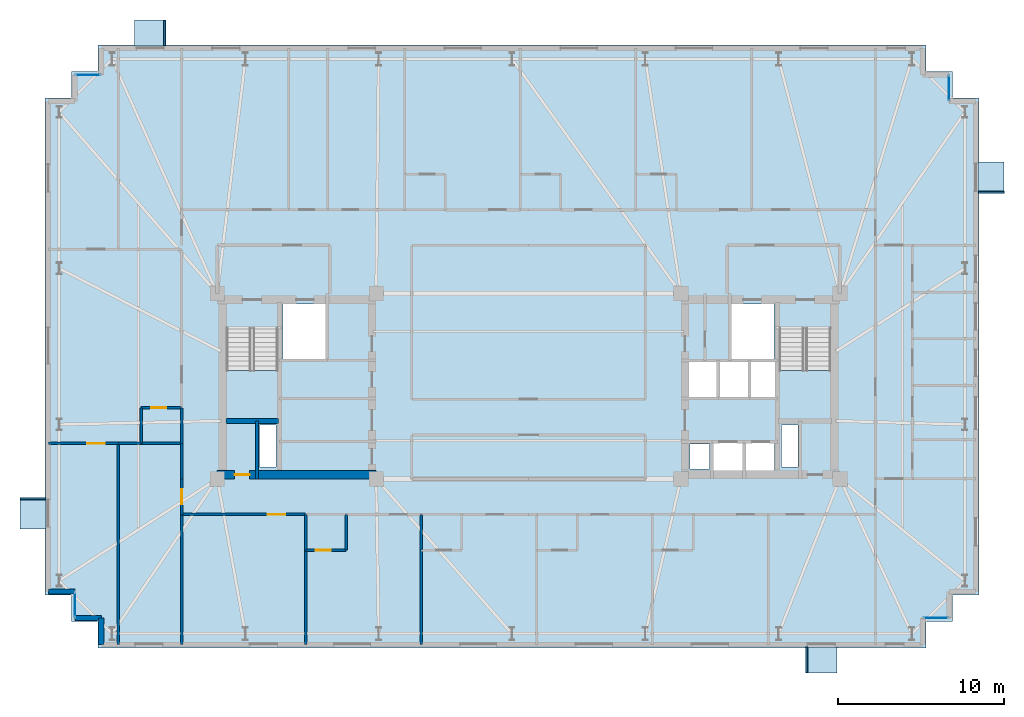
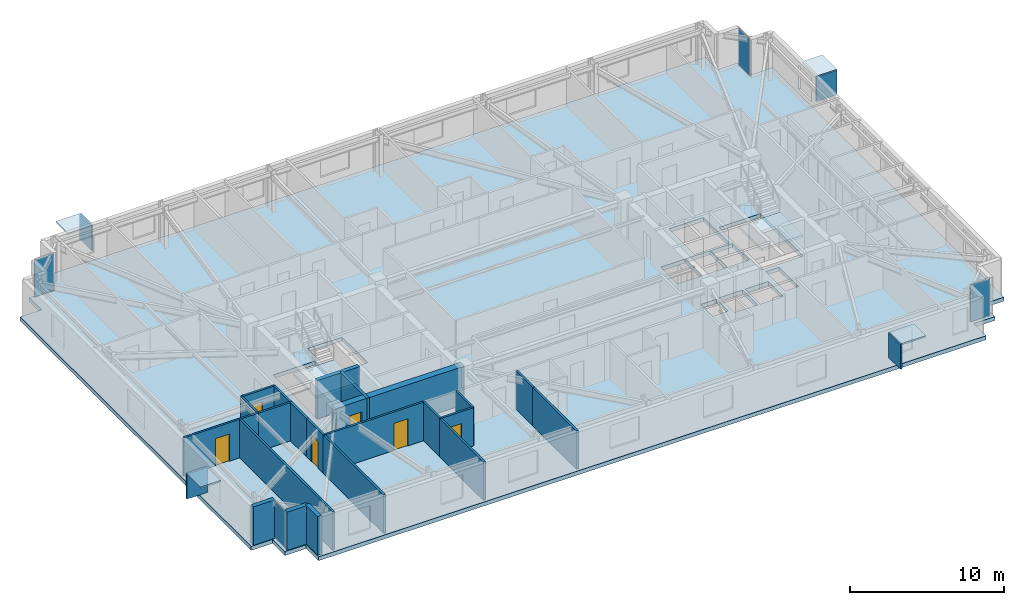
# One storey, part 10 of 17: 23 walls, 12 plates, 6 doors, 3 slabs, 6 openings, 6 elements without a shape of their own.
"""IFC4 building model written with IfcOpenShell, lengths in metres."""

from ifc_helpers import new_model, si_unit, direction, frame, frame_2d, origin, origin_2d, place, context, subcontext, project, spatial, polyline, rectangle, outline, extrude, material, layer, layer_set, type_object, element, fill, aggregate, save


model = new_model("IFC4")

# Units and contexts
model_context = context("Model", 3, precision=1e-05, world=origin(), true_north=direction((0.0, 1.0)))
body_context = subcontext(model_context, "Body", "Model", "MODEL_VIEW")
ifc_project = project(units=[si_unit("LENGTHUNIT", "METRE"), si_unit("AREAUNIT", "SQUARE_METRE"), si_unit("VOLUMEUNIT", "CUBIC_METRE"), si_unit("PLANEANGLEUNIT", "RADIAN"), si_unit("MASSUNIT", "GRAM", prefix="KILO")], contexts=[model_context])

# Site, building, storey
site_placement = place(None, origin())
site = spatial("IfcSite", under=ifc_project, at=site_placement, CompositionType="ELEMENT")
building_placement = place(site_placement, origin())
building = spatial("IfcBuilding", under=site, at=building_placement, Name="Qobustan Lattice House", CompositionType="ELEMENT")
storey_placement = place(building_placement, frame((0.0, 0.0, 161.14990234375)))
storey = spatial("IfcBuildingStorey", under=building, at=storey_placement, Name="L45", CompositionType="ELEMENT", Elevation=161.14990234375)

# Curtain wall, plate
ifc_material_1 = material(Name="Anodised aluminium and low-E glazing", Category="aluminium")
ifc_layer_1 = layer(ifc_material_1, 0.219970703125)
ifc_layer_set_1 = layer_set([ifc_layer_1], Name="Anodised aluminium and low-E glazing")
curtain_wall_type = type_object("IfcCurtainWallType", Name="CW-FAC-02", PredefinedType="USERDEFINED", material=ifc_layer_set_1)
curtain_wall_1_placement = place(storey_placement, origin())
curtain_wall_1 = element("IfcCurtainWall", 1, at=curtain_wall_1_placement, inside=storey, type_object=curtain_wall_type, Name="L45 serrated corner faceted glazing 3", ObjectType="CURTAIN WALL", PredefinedType="USERDEFINED")
ifc_material_2 = material(Name="Clear low-E laminated glass", Category="glass")
ifc_layer_2 = layer(ifc_material_2, 0.031982421875)
ifc_layer_set_2 = layer_set([ifc_layer_2], Name="Clear low-E laminated glass")
plate_type_1 = type_object("IfcPlateType", Name="CWP-VISION-32", PredefinedType="CURTAIN_PANEL", material=ifc_layer_set_2)
plate_1_placement = place(storey_placement, frame((-27.39990234375, -13.199951171875, 0.06494140625), z_axis=(0.0, 0.0, 1.0), x_axis=(0.0, 1.0, 0.0)))
plate_1 = element("IfcPlate", 2, at=plate_1_placement, type_object=plate_type_1, Name="CW-F2 panel 1.1", PredefinedType="CURTAIN_PANEL", context=body_context, shape_type="SweptSolid", body=[
    extrude(rectangle(XDim=1.4599609375, YDim=0.031982421875, at=origin_2d()), origin(), (0.0, 0.0, 1.0), 2.909912109375),
])
aggregate(curtain_wall_1, [plate_1])

curtain_wall_2_placement = place(storey_placement, origin())
curtain_wall_2 = element("IfcCurtainWall", 3, at=curtain_wall_2_placement, inside=storey, type_object=curtain_wall_type, Name="L45 serrated corner faceted glazing 8", ObjectType="CURTAIN WALL", PredefinedType="USERDEFINED")
plate_2_placement = place(storey_placement, frame((-26.60009765625, 18.800048828125, 0.06494140625), z_axis=(0.0, 0.0, 1.0), x_axis=(1.0, 0.0, 0.0)))
plate_2 = element("IfcPlate", 4, at=plate_2_placement, type_object=plate_type_1, Name="CW-F2 panel 1.1", PredefinedType="CURTAIN_PANEL", context=body_context, shape_type="SweptSolid", body=[
    extrude(rectangle(XDim=1.4599609375, YDim=0.031982421875, at=origin_2d()), origin(), (0.0, 0.0, 1.0), 2.909912109375),
])
aggregate(curtain_wall_2, [plate_2])

curtain_wall_3_placement = place(storey_placement, origin())
curtain_wall_3 = element("IfcCurtainWall", 5, at=curtain_wall_3_placement, inside=storey, type_object=curtain_wall_type, Name="L45 serrated corner faceted glazing 13", ObjectType="CURTAIN WALL", PredefinedType="USERDEFINED")
plate_3_placement = place(storey_placement, frame((25.39990234375, 18.0, 0.06494140625), z_axis=(0.0, 0.0, 1.0), x_axis=(0.0, -1.0, 0.0)))
plate_3 = element("IfcPlate", 6, at=plate_3_placement, type_object=plate_type_1, Name="CW-F2 panel 1.1", PredefinedType="CURTAIN_PANEL", context=body_context, shape_type="SweptSolid", body=[
    extrude(rectangle(XDim=1.4599609375, YDim=0.031982421875, at=origin_2d()), origin(), (0.0, 0.0, 1.0), 2.909912109375),
])
aggregate(curtain_wall_3, [plate_3])

curtain_wall_4_placement = place(storey_placement, origin())
curtain_wall_4 = element("IfcCurtainWall", 7, at=curtain_wall_4_placement, inside=storey, type_object=curtain_wall_type, Name="L45 serrated corner faceted glazing 18", ObjectType="CURTAIN WALL", PredefinedType="USERDEFINED")
plate_4_placement = place(storey_placement, frame((24.60009765625, -14.0, 0.06494140625), z_axis=(0.0, 0.0, 1.0), x_axis=(-1.0, 0.0, 0.0)))
plate_4 = element("IfcPlate", 8, at=plate_4_placement, type_object=plate_type_1, Name="CW-F2 panel 1.1", PredefinedType="CURTAIN_PANEL", context=body_context, shape_type="SweptSolid", body=[
    extrude(rectangle(XDim=1.4599609375, YDim=0.031982421875, at=origin_2d()), origin(), (0.0, 0.0, 1.0), 2.909912109375),
])
aggregate(curtain_wall_4, [plate_4])

# Plates
ifc_material_3 = material(Name="Qobustan limestone GFRC", Category="masonry")
ifc_layer_3 = layer(ifc_material_3, 0.1201171875)
ifc_layer_set_3 = layer_set([ifc_layer_3], Name="Qobustan limestone GFRC")
plate_type_2 = type_object("IfcPlateType", Name="SHD-HOOD-BROW", PredefinedType="USERDEFINED", material=ifc_layer_set_3)
plate_5_placement = place(storey_placement, frame((-29.929931640625, -7.679931640625, 2.699951171875), z_axis=(0.0, 0.0, 1.0), x_axis=(0.0, 1.0, 0.0)))
element("IfcPlate", 9, at=plate_5_placement, inside=storey, type_object=plate_type_2, Name="L45 splayed Qobustan stone hood brow", ObjectType="SUNSHADE", PredefinedType="USERDEFINED", context=body_context, shape_type="SweptSolid", body=[
    extrude(rectangle(XDim=1.889892578125, YDim=1.56005859375, at=origin_2d()), origin(), (0.0, 0.0, 1.0), 0.1201171875),
])
plate_6_placement = place(storey_placement, frame((-29.929931640625, -6.794921875, 0.7900390625), z_axis=(0.0, 0.0, 1.0), x_axis=(0.0, 1.0, 0.0)))
element("IfcPlate", 10, at=plate_6_placement, inside=storey, type_object=plate_type_2, Name="L45 splayed Qobustan stone hood cheek", ObjectType="SUNSHADE", PredefinedType="USERDEFINED", context=body_context, shape_type="SweptSolid", body=[
    extrude(rectangle(XDim=0.1201171875, YDim=1.56005859375, at=origin_2d()), origin(), (0.0, 0.0, 1.0), 1.969970703125),
])
plate_7_placement = place(storey_placement, frame((-22.840087890625, 21.330078125, 2.699951171875), z_axis=(0.0, 0.0, 1.0), x_axis=(1.0, 0.0, 0.0)))
element("IfcPlate", 11, at=plate_7_placement, inside=storey, type_object=plate_type_2, Name="L45 splayed Qobustan stone hood brow", ObjectType="SUNSHADE", PredefinedType="USERDEFINED", context=body_context, shape_type="SweptSolid", body=[
    extrude(rectangle(XDim=1.889892578125, YDim=1.56005859375, at=origin_2d()), origin(), (0.0, 0.0, 1.0), 0.1201171875),
])
plate_8_placement = place(storey_placement, frame((-21.955078125, 21.330078125, 0.7900390625), z_axis=(0.0, 0.0, 1.0), x_axis=(1.0, 0.0, 0.0)))
element("IfcPlate", 12, at=plate_8_placement, inside=storey, type_object=plate_type_2, Name="L45 splayed Qobustan stone hood cheek", ObjectType="SUNSHADE", PredefinedType="USERDEFINED", context=body_context, shape_type="SweptSolid", body=[
    extrude(rectangle(XDim=0.1201171875, YDim=1.56005859375, at=origin_2d()), origin(), (0.0, 0.0, 1.0), 1.969970703125),
])
plate_9_placement = place(storey_placement, frame((27.929931640625, 12.60009765625, 2.699951171875), z_axis=(0.0, 0.0, 1.0), x_axis=(0.0, -1.0, 0.0)))
element("IfcPlate", 13, at=plate_9_placement, inside=storey, type_object=plate_type_2, Name="L45 splayed Qobustan stone hood brow", ObjectType="SUNSHADE", PredefinedType="USERDEFINED", context=body_context, shape_type="SweptSolid", body=[
    extrude(rectangle(XDim=1.889892578125, YDim=1.56005859375, at=origin_2d()), origin(), (0.0, 0.0, 1.0), 0.1201171875),
])
plate_10_placement = place(storey_placement, frame((27.929931640625, 11.715087890625, 0.7900390625), z_axis=(0.0, 0.0, 1.0), x_axis=(0.0, -1.0, 0.0)))
element("IfcPlate", 14, at=plate_10_placement, inside=storey, type_object=plate_type_2, Name="L45 splayed Qobustan stone hood cheek", ObjectType="SUNSHADE", PredefinedType="USERDEFINED", context=body_context, shape_type="SweptSolid", body=[
    extrude(rectangle(XDim=0.1201171875, YDim=1.56005859375, at=origin_2d()), origin(), (0.0, 0.0, 1.0), 1.969970703125),
])
plate_11_placement = place(storey_placement, frame((17.679931640625, -16.530029296875, 2.699951171875), z_axis=(0.0, 0.0, 1.0), x_axis=(-1.0, 0.0, 0.0)))
element("IfcPlate", 15, at=plate_11_placement, inside=storey, type_object=plate_type_2, Name="L45 splayed Qobustan stone hood brow", ObjectType="SUNSHADE", PredefinedType="USERDEFINED", context=body_context, shape_type="SweptSolid", body=[
    extrude(rectangle(XDim=1.889892578125, YDim=1.56005859375, at=origin_2d()), origin(), (0.0, 0.0, 1.0), 0.1201171875),
])
plate_12_placement = place(storey_placement, frame((16.794921875, -16.530029296875, 0.7900390625), z_axis=(0.0, 0.0, 1.0), x_axis=(-1.0, 0.0, 0.0)))
element("IfcPlate", 16, at=plate_12_placement, inside=storey, type_object=plate_type_2, Name="L45 splayed Qobustan stone hood cheek", ObjectType="SUNSHADE", PredefinedType="USERDEFINED", context=body_context, shape_type="SweptSolid", body=[
    extrude(rectangle(XDim=0.1201171875, YDim=1.56005859375, at=origin_2d()), origin(), (0.0, 0.0, 1.0), 1.969970703125),
])

# Slab
ifc_material_4 = material(Name="Concrete C40/50", Category="concrete")
ifc_layer_4 = layer(ifc_material_4, 0.31005859375)
ifc_layer_set_4 = layer_set([ifc_layer_4], Name="Concrete C40/50")
slab_type_1 = type_object("IfcSlabType", Name="SLB-FLR-310", PredefinedType="FLOOR", material=ifc_layer_set_4)
slab_1_placement = place(storey_placement, frame((0.0, 0.0, -0.309814453125)))
element("IfcSlab", 17, at=slab_1_placement, inside=storey, type_object=slab_type_1, Name="L45 structural floor slab", PredefinedType="FLOOR", context=body_context, shape_type="SweptSolid", body=[
    extrude(outline(polyline([(-26.0, -15.800048828125), (24.0, -15.800048828125), (24.0, -14.199951171875), (25.60009765625, -14.199951171875), (25.60009765625, -12.60009765625), (27.199951171875, -12.60009765625), (27.199951171875, 17.39990234375), (25.60009765625, 17.39990234375), (25.60009765625, 19.0), (24.0, 19.0), (24.0, 20.60009765625), (-26.0, 20.60009765625), (-26.0, 19.0), (-27.60009765625, 19.0), (-27.60009765625, 17.39990234375), (-29.199951171875, 17.39990234375), (-29.199951171875, -12.60009765625), (-27.60009765625, -12.60009765625), (-27.60009765625, -14.199951171875), (-26.0, -14.199951171875), (-26.0, -15.800048828125)]), holes=[polyline([(-18.25, -2.050048828125), (-18.25, 3.489990234375), (-15.1298828125, 3.489990234375), (-15.1298828125, -2.050048828125), (-18.25, -2.050048828125)]), polyline([(15.1298828125, -2.050048828125), (15.1298828125, 3.489990234375), (18.25, 3.489990234375), (18.25, -2.050048828125), (15.1298828125, -2.050048828125)]), polyline([(-14.820068359375, 1.64990234375), (-14.820068359375, 4.9599609375), (-12.25, 4.9599609375), (-12.25, 1.64990234375), (-14.820068359375, 1.64990234375)]), polyline([(12.25, 1.64990234375), (12.25, 4.9599609375), (14.820068359375, 4.9599609375), (14.820068359375, 1.64990234375), (12.25, 1.64990234375)]), polyline([(-16.260009765625, -4.8798828125), (-16.260009765625, -2.360107421875), (-15.260009765625, -2.360107421875), (-15.260009765625, -4.8798828125), (-16.260009765625, -4.8798828125)]), polyline([(15.260009765625, -4.8798828125), (15.260009765625, -2.360107421875), (16.260009765625, -2.360107421875), (16.260009765625, -4.8798828125), (15.260009765625, -4.8798828125)]), polyline([(11.179931640625, -5.35009765625), (11.179931640625, -3.419921875), (12.919921875, -3.419921875), (12.919921875, -5.35009765625), (11.179931640625, -5.35009765625)]), polyline([(13.1201171875, -5.35009765625), (13.1201171875, -3.419921875), (14.85009765625, -3.419921875), (14.85009765625, -5.35009765625), (13.1201171875, -5.35009765625)]), polyline([(9.760009765625, -5.0), (9.760009765625, -3.47998046875), (10.93994140625, -3.47998046875), (10.93994140625, -5.0), (9.760009765625, -5.0)]), polyline([(13.360107421875, -0.679931640625), (13.360107421875, 1.47998046875), (14.97998046875, 1.47998046875), (14.97998046875, -0.679931640625), (13.360107421875, -0.679931640625)]), polyline([(9.6201171875, -0.679931640625), (9.6201171875, 1.47998046875), (11.43994140625, 1.47998046875), (11.43994140625, -0.679931640625), (9.6201171875, -0.679931640625)]), polyline([(11.5, -0.679931640625), (11.5, 1.47998046875), (13.320068359375, 1.47998046875), (13.320068359375, -0.679931640625), (11.5, -0.679931640625)])]), origin(), (0.0, 0.0, 1.0), 0.309814453125),
])

# Stair, slab
ifc_material_5 = material(Name="Concrete C40/50", Category="concrete")
stair_type = type_object("IfcStairType", Name="STR-CORE-DOGLEG", PredefinedType="HALF_TURN_STAIR", material=ifc_material_5)
stair_1_placement = place(storey_placement, origin())
stair_1 = element("IfcStair", 18, at=stair_1_placement, inside=storey, type_object=stair_type, Name="L45 West protected exit stair ST-W1", PredefinedType="HALF_TURN_STAIR")
ifc_material_6 = material(Name="Concrete C40/50", Category="concrete")
ifc_layer_5 = layer(ifc_material_6, 0.199951171875)
ifc_layer_set_5 = layer_set([ifc_layer_5], Name="Concrete C40/50")
slab_type_2 = type_object("IfcSlabType", Name="SLB-LANDING-200", PredefinedType="LANDING", material=ifc_layer_set_5)
slab_2_placement = place(storey_placement, frame((0.0, 0.0, 1.47509765625)))
slab_2 = element("IfcSlab", 19, at=slab_2_placement, type_object=slab_type_2, Name="ST-W1 landing 1", PredefinedType="LANDING", context=body_context, shape_type="SweptSolid", body=[
    extrude(outline(polyline([(-18.25, 0.93505859375), (-18.25, -2.050048828125), (-15.1298828125, -2.050048828125), (-15.1298828125, 0.93505859375), (-18.25, 0.93505859375)])), origin(), (0.0, 0.0, 1.0), 0.199951171875),
])
aggregate(stair_1, [slab_2])

stair_2_placement = place(storey_placement, origin())
stair_2 = element("IfcStair", 20, at=stair_2_placement, inside=storey, type_object=stair_type, Name="L45 East protected exit stair ST-E1", PredefinedType="HALF_TURN_STAIR")
slab_3_placement = place(storey_placement, frame((0.0, 0.0, 1.47509765625)))
slab_3 = element("IfcSlab", 21, at=slab_3_placement, type_object=slab_type_2, Name="ST-E1 landing 1", PredefinedType="LANDING", context=body_context, shape_type="SweptSolid", body=[
    extrude(outline(polyline([(15.1298828125, 0.93505859375), (15.1298828125, -2.050048828125), (18.25, -2.050048828125), (18.25, 0.93505859375), (15.1298828125, 0.93505859375)])), origin(), (0.0, 0.0, 1.0), 0.199951171875),
])
aggregate(stair_2, [slab_3])

# Wall, opening, door
ifc_material_7 = material(Name="Concrete C50/60", Category="concrete")
ifc_layer_6 = layer(ifc_material_7, 0.5)
ifc_layer_set_6 = layer_set([ifc_layer_6], Name="Concrete C50/60")
wall_type_1 = type_object("IfcWallType", Name="WAL-CORE-500", PredefinedType="SHEAR", material=ifc_layer_set_6)
wall_1_placement = place(storey_placement, frame((-18.800048828125, -5.35009765625, 0.0), z_axis=(0.0, 0.0, 1.0), x_axis=(1.0, 0.0, 0.0)))
wall_1 = element("IfcWall", 22, at=wall_1_placement, inside=storey, type_object=wall_type_1, Name="L45 split-core shear wall CW-S", PredefinedType="SHEAR", context=body_context, shape_type="SweptSolid", body=[
    extrude(rectangle(XDim=9.60009765625, YDim=0.5, at=frame_2d((4.800048828125, 0.0))), origin(), (0.0, 0.0, 1.0), 3.0400390625),
])
opening_1_placement = place(wall_1_placement, frame((1.050048828125, 0.0, 0.0)))
opening_1 = element("IfcOpeningElement", 23, at=opening_1_placement, cuts=wall_1, Name="Opening RD-01", PredefinedType="OPENING", context=body_context, shape_type="SweptSolid", body=[
    extrude(rectangle(XDim=0.89990234375, YDim=2.10009765625, at=frame_2d((0.449951171875, 1.050048828125))), frame((0.0, 0.260009765625, 0.0), z_axis=(0.0, -1.0, 0.0), x_axis=(1.0, 0.0, 0.0)), (0.0, 0.0, 1.0), 0.52001953125),
])
ifc_material_8 = material(Name="Persian walnut timber and steel frame door", Category="steel")
door_type_1 = type_object("IfcDoorType", Name="DOR-RISER-FD-900x2100", OperationType="NOTDEFINED", PredefinedType="DOOR", material=ifc_material_8)
door_1_placement = place(opening_1_placement, origin())
door_1 = element("IfcDoor", 24, at=door_1_placement, inside=storey, type_object=door_type_1, Name="L45 core service riser access door W", OperationType="SINGLE_SWING_RIGHT", OverallHeight=2.10009765625, OverallWidth=0.89990234375, PredefinedType="DOOR", context=body_context, shape_type="SweptSolid", body=[
    extrude(rectangle(XDim=0.89990234375, YDim=2.10009765625, at=frame_2d((0.449951171875, 1.050048828125))), frame((0.0, 0.02490234375, 0.0), z_axis=(0.0, -1.0, 0.0), x_axis=(1.0, 0.0, 0.0)), (0.0, 0.0, 1.0), 0.050048828125),
])
fill(opening_1, door_1)

# Walls
ifc_material_9 = material(Name="Concrete C50/60", Category="concrete")
ifc_layer_7 = layer(ifc_material_9, 0.280029296875)
ifc_layer_set_7 = layer_set([ifc_layer_7], Name="Concrete C50/60")
wall_type_2 = type_object("IfcWallType", Name="WAL-CORE-SPINE-280", PredefinedType="SHEAR", material=ifc_layer_set_7)
wall_2_placement = place(storey_placement, frame((-18.280029296875, -2.110107421875, 0.0), z_axis=(0.0, 0.0, 1.0), x_axis=(1.0, 0.0, 0.0)))
element("IfcWall", 25, at=wall_2_placement, inside=storey, type_object=wall_type_2, Name="L45 split-core shear wall CW-ST", PredefinedType="SHEAR", context=body_context, shape_type="SweptSolid", body=[
    extrude(rectangle(XDim=3.179931640625, YDim=0.300048828125, at=frame_2d((1.58984375, 0.0))), origin(), (0.0, 0.0, 1.0), 3.0400390625),
])
ifc_material_10 = material(Name="Precast concrete C40/50", Category="concrete")
ifc_layer_8 = layer(ifc_material_10, 0.320068359375)
ifc_layer_set_8 = layer_set([ifc_layer_8], Name="Precast concrete C40/50")
wall_type_3 = type_object("IfcWallType", Name="WAL-EXT-STONE-320", PredefinedType="SOLIDWALL", material=ifc_layer_set_8)
wall_3_placement = place(storey_placement, frame((-25.800048828125, -15.60009765625, 0.0), z_axis=(0.0, 0.0, 1.0), x_axis=(0.0, 1.0, 0.0)))
element("IfcWall", 26, at=wall_3_placement, inside=storey, type_object=wall_type_3, Name="L45 exterior limestone-clad wall 1", PredefinedType="SOLIDWALL", context=body_context, shape_type="SweptSolid", body=[
    extrude(rectangle(XDim=1.60009765625, YDim=0.320068359375, at=frame_2d((0.800048828125, 0.0))), origin(), (0.0, 0.0, 1.0), 3.0400390625),
])
wall_4_placement = place(storey_placement, frame((-25.800048828125, -14.0, 0.0), z_axis=(0.0, 0.0, 1.0), x_axis=(-1.0, 0.0, 0.0)))
element("IfcWall", 27, at=wall_4_placement, inside=storey, type_object=wall_type_3, Name="L45 exterior limestone-clad wall 2", PredefinedType="SOLIDWALL", context=body_context, shape_type="SweptSolid", body=[
    extrude(rectangle(XDim=1.599853515625, YDim=0.320068359375, at=frame_2d((0.7998046875, 0.0))), origin(), (0.0, 0.0, 1.0), 3.0400390625),
])
wall_5_placement = place(storey_placement, frame((-27.39990234375, -12.39990234375, 0.0), z_axis=(0.0, 0.0, 1.0), x_axis=(-1.0, 0.0, 0.0)))
element("IfcWall", 28, at=wall_5_placement, inside=storey, type_object=wall_type_3, Name="L45 exterior limestone-clad wall 4", PredefinedType="SOLIDWALL", context=body_context, shape_type="SweptSolid", body=[
    extrude(rectangle(XDim=1.60009765625, YDim=0.320068359375, at=frame_2d((0.800048828125, 0.0))), origin(), (0.0, 0.0, 1.0), 3.0400390625),
])

# Wall, opening, door
ifc_material_11 = material(Name="Acoustic twin-stud gypsum partition", Category="gypsum")
ifc_layer_9 = layer(ifc_material_11, 0.14990234375)
ifc_layer_set_9 = layer_set([ifc_layer_9], Name="Acoustic twin-stud gypsum partition")
wall_type_4 = type_object("IfcWallType", Name="WAL-PART-150", PredefinedType="PARTITIONING", material=ifc_layer_set_9)
wall_6_placement = place(storey_placement, frame((-20.949951171875, -7.75, 0.0), z_axis=(0.0, 0.0, 1.0), x_axis=(0.0, 1.0, 0.0)))
wall_6 = element("IfcWall", 29, at=wall_6_placement, inside=storey, type_object=wall_type_4, Name="L45 interior partition 46", PredefinedType="PARTITIONING", context=body_context, shape_type="SweptSolid", body=[
    extrude(rectangle(XDim=2.14990234375, YDim=0.14990234375, at=frame_2d((1.074951171875, 0.0))), origin(), (0.0, 0.0, 1.0), 3.0400390625),
])
opening_2_placement = place(wall_6_placement, frame((0.625, 0.0, 0.0)))
opening_2 = element("IfcOpeningElement", 30, at=opening_2_placement, cuts=wall_6, Name="Opening WD-01", PredefinedType="OPENING", context=body_context, shape_type="SweptSolid", body=[
    extrude(rectangle(XDim=0.89990234375, YDim=2.10009765625, at=frame_2d((0.449951171875, 1.050048828125))), frame((0.0, 0.0849609375, 0.0), z_axis=(0.0, -1.0, 0.0), x_axis=(1.0, 0.0, 0.0)), (0.0, 0.0, 1.0), 0.169921875),
])
ifc_material_12 = material(Name="Persian walnut timber and steel frame door", Category="steel")
door_type_2 = type_object("IfcDoorType", Name="DOR-WET-900x2100", OperationType="NOTDEFINED", PredefinedType="DOOR", material=ifc_material_12)
door_2_placement = place(opening_2_placement, origin())
door_2 = element("IfcDoor", 31, at=door_2_placement, inside=storey, type_object=door_type_2, Name="L45 South-west floor corridor to Focus study room W1B door", OperationType="SINGLE_SWING_RIGHT", OverallHeight=2.10009765625, OverallWidth=0.89990234375, PredefinedType="DOOR", context=body_context, shape_type="SweptSolid", body=[
    extrude(rectangle(XDim=0.89990234375, YDim=2.10009765625, at=frame_2d((0.449951171875, 1.050048828125))), frame((0.0, 0.02490234375, 0.0), z_axis=(0.0, -1.0, 0.0), x_axis=(1.0, 0.0, 0.0)), (0.0, 0.0, 1.0), 0.050048828125),
])
fill(opening_2, door_2)

wall_7_placement = place(storey_placement, frame((-13.467041015625, -7.75, 0.0), z_axis=(0.0, 0.0, 1.0), x_axis=(-1.0, 0.0, 0.0)))
wall_7 = element("IfcWall", 32, at=wall_7_placement, inside=storey, type_object=wall_type_4, Name="L45 interior partition 47", PredefinedType="PARTITIONING", context=body_context, shape_type="SweptSolid", body=[
    extrude(rectangle(XDim=7.48291015625, YDim=0.14990234375, at=frame_2d((3.741455078125, 0.0))), origin(), (0.0, 0.0, 1.0), 3.0400390625),
])
opening_3_placement = place(wall_7_placement, frame((1.239013671875, 0.0, 0.0)))
opening_3 = element("IfcOpeningElement", 33, at=opening_3_placement, cuts=wall_7, Name="Opening ID-02", PredefinedType="OPENING", context=body_context, shape_type="SweptSolid", body=[
    extrude(rectangle(XDim=1.050048828125, YDim=2.14990234375, at=frame_2d((0.52490234375, 1.074951171875))), frame((0.0, 0.0849609375, 0.0), z_axis=(0.0, -1.0, 0.0), x_axis=(1.0, 0.0, 0.0)), (0.0, 0.0, 1.0), 0.169921875),
])
ifc_material_13 = material(Name="Persian walnut timber and steel frame door", Category="steel")
door_type_3 = type_object("IfcDoorType", Name="DOR-STUDY-1050x2150", OperationType="NOTDEFINED", PredefinedType="DOOR", material=ifc_material_13)
door_3_placement = place(opening_3_placement, origin())
door_3 = element("IfcDoor", 34, at=door_3_placement, inside=storey, type_object=door_type_3, Name="L45 South-west floor corridor to Focus study room S1 door", OperationType="SINGLE_SWING_LEFT", OverallHeight=2.14990234375, OverallWidth=1.050048828125, PredefinedType="DOOR", context=body_context, shape_type="SweptSolid", body=[
    extrude(rectangle(XDim=1.050048828125, YDim=2.14990234375, at=frame_2d((0.52490234375, 1.074951171875))), frame((0.0, 0.02490234375, 0.0), z_axis=(0.0, -1.0, 0.0), x_axis=(1.0, 0.0, 0.0)), (0.0, 0.0, 1.0), 0.050048828125),
])
fill(opening_3, door_3)

# Walls
wall_8_placement = place(storey_placement, frame((-20.949951171875, -5.60009765625, 0.0), z_axis=(0.0, 0.0, 1.0), x_axis=(0.0, 1.0, 0.0)))
element("IfcWall", 35, at=wall_8_placement, inside=storey, type_object=wall_type_4, Name="L45 interior partition 61", PredefinedType="PARTITIONING", context=body_context, shape_type="SweptSolid", body=[
    extrude(rectangle(XDim=2.14013671875, YDim=0.14990234375, at=frame_2d((1.070068359375, 0.0))), origin(), (0.0, 0.0, 1.0), 3.0400390625),
])
wall_9_placement = place(storey_placement, frame((-24.764892578125, -3.4599609375, 0.0), z_axis=(0.0, 0.0, 1.0), x_axis=(0.0, -1.0, 0.0)))
element("IfcWall", 36, at=wall_9_placement, inside=storey, type_object=wall_type_4, Name="L45 interior partition 71", PredefinedType="PARTITIONING", context=body_context, shape_type="SweptSolid", body=[
    extrude(rectangle(XDim=12.14013671875, YDim=0.14990234375, at=frame_2d((6.070068359375, 0.0))), origin(), (0.0, 0.0, 1.0), 3.0400390625),
])

# Wall, opening, door
wall_10_placement = place(storey_placement, frame((-29.0, -3.4599609375, 0.0), z_axis=(0.0, 0.0, 1.0), x_axis=(1.0, 0.0, 0.0)))
wall_10 = element("IfcWall", 37, at=wall_10_placement, inside=storey, type_object=wall_type_4, Name="L45 interior partition 72", PredefinedType="PARTITIONING", context=body_context, shape_type="SweptSolid", body=[
    extrude(rectangle(XDim=4.235107421875, YDim=0.14990234375, at=frame_2d((2.11767578125, 0.0))), origin(), (0.0, 0.0, 1.0), 3.0400390625),
])
opening_4_placement = place(wall_10_placement, frame((2.351806640625, 0.0, 0.0)))
opening_4 = element("IfcOpeningElement", 38, at=opening_4_placement, cuts=wall_10, Name="Opening ID-02", PredefinedType="OPENING", context=body_context, shape_type="SweptSolid", body=[
    extrude(rectangle(XDim=1.050048828125, YDim=2.14990234375, at=frame_2d((0.52490234375, 1.074951171875))), frame((0.0, 0.0849609375, 0.0), z_axis=(0.0, -1.0, 0.0), x_axis=(1.0, 0.0, 0.0)), (0.0, 0.0, 1.0), 0.169921875),
])
door_4_placement = place(opening_4_placement, origin())
door_4 = element("IfcDoor", 39, at=door_4_placement, inside=storey, type_object=door_type_3, Name="L45 Focus study room W1A to Kitchenette and studio apartment L45-W2 door", OperationType="SINGLE_SWING_RIGHT", OverallHeight=2.14990234375, OverallWidth=1.050048828125, PredefinedType="DOOR", context=body_context, shape_type="SweptSolid", body=[
    extrude(rectangle(XDim=1.050048828125, YDim=2.14990234375, at=frame_2d((0.52490234375, 1.074951171875))), frame((0.0, 0.02490234375, 0.0), z_axis=(0.0, -1.0, 0.0), x_axis=(1.0, 0.0, 0.0)), (0.0, 0.0, 1.0), 0.050048828125),
])
fill(opening_4, door_4)

# Walls
wall_11_placement = place(storey_placement, frame((-24.764892578125, -3.4599609375, 0.0), z_axis=(0.0, 0.0, 1.0), x_axis=(1.0, 0.0, 0.0)))
element("IfcWall", 40, at=wall_11_placement, inside=storey, type_object=wall_type_4, Name="L45 interior partition 73", PredefinedType="PARTITIONING", context=body_context, shape_type="SweptSolid", body=[
    extrude(rectangle(XDim=1.364990234375, YDim=0.14990234375, at=frame_2d((0.6826171875, 0.0))), origin(), (0.0, 0.0, 1.0), 3.0400390625),
])
wall_12_placement = place(storey_placement, frame((-20.949951171875, -7.75, 0.0), z_axis=(0.0, 0.0, 1.0), x_axis=(0.0, -1.0, 0.0)))
element("IfcWall", 41, at=wall_12_placement, inside=storey, type_object=wall_type_4, Name="L45 interior partition 75", PredefinedType="PARTITIONING", context=body_context, shape_type="SweptSolid", body=[
    extrude(rectangle(XDim=7.85009765625, YDim=0.14990234375, at=frame_2d((3.925048828125, 0.0))), origin(), (0.0, 0.0, 1.0), 3.0400390625),
])
for number, where, z_axis, x_axis, name in (
    (42, (-13.467041015625, -9.89990234375, 0.0), (0.0, 0.0, 1.0), (0.0, -1.0, 0.0), "L45 interior partition 112"),
    (43, (-6.48291015625, -9.89990234375, 0.0), (0.0, 0.0, 1.0), (0.0, -1.0, 0.0), "L45 interior partition 116"),
):
    element("IfcWall", number, at=place(storey_placement, frame(where, z_axis=z_axis, x_axis=x_axis)), inside=storey, type_object=wall_type_4, Name=name, PredefinedType="PARTITIONING", context=body_context, shape_type="SweptSolid", body=[
        extrude(rectangle(XDim=5.7001953125, YDim=0.14990234375, at=frame_2d((2.85009765625, 0.0))), origin(), (0.0, 0.0, 1.0), 3.0400390625),
    ])
ifc_material_14 = material(Name="Concrete C40/50", Category="concrete")
ifc_layer_10 = layer(ifc_material_14, 0.199951171875)
ifc_layer_set_10 = layer_set([ifc_layer_10], Name="Concrete C40/50")
wall_type_5 = type_object("IfcWallType", Name="WAL-SHAFT-200", PredefinedType="PARTITIONING", material=ifc_layer_set_10)
wall_13_placement = place(storey_placement, frame((-16.39990234375, -5.60009765625, 0.0), z_axis=(0.0, 0.0, 1.0), x_axis=(0.0, 1.0, 0.0)))
element("IfcWall", 44, at=wall_13_placement, inside=storey, type_object=wall_type_5, Name="L45 interior partition 1", PredefinedType="PARTITIONING", context=body_context, shape_type="SweptSolid", body=[
    extrude(rectangle(XDim=3.489990234375, YDim=0.199951171875, at=frame_2d((1.7451171875, 0.0))), origin(), (0.0, 0.0, 1.0), 3.0400390625),
])
ifc_material_15 = material(Name="Moisture-resistant acoustic plumbing wall", Category="gypsum")
ifc_layer_11 = layer(ifc_material_15, 0.14990234375)
ifc_layer_set_11 = layer_set([ifc_layer_11], Name="Moisture-resistant acoustic plumbing wall")
wall_type_6 = type_object("IfcWallType", Name="WAL-WET-150", PredefinedType="PLUMBINGWALL", material=ifc_layer_set_11)
wall_14_placement = place(storey_placement, frame((-20.949951171875, -3.4599609375, 0.0), z_axis=(0.0, 0.0, 1.0), x_axis=(0.0, 1.0, 0.0)))
element("IfcWall", 45, at=wall_14_placement, inside=storey, type_object=wall_type_6, Name="L45 interior partition 63", PredefinedType="PLUMBINGWALL", context=body_context, shape_type="SweptSolid", body=[
    extrude(rectangle(XDim=2.14990234375, YDim=0.14990234375, at=frame_2d((1.074951171875, 0.0))), origin(), (0.0, 0.0, 1.0), 3.0400390625),
])
wall_15_placement = place(storey_placement, frame((-23.39990234375, -3.4599609375, 0.0), z_axis=(0.0, 0.0, 1.0), x_axis=(1.0, 0.0, 0.0)))
element("IfcWall", 46, at=wall_15_placement, inside=storey, type_object=wall_type_6, Name="L45 interior partition 74", PredefinedType="PLUMBINGWALL", context=body_context, shape_type="SweptSolid", body=[
    extrude(rectangle(XDim=2.449951171875, YDim=0.14990234375, at=frame_2d((1.22509765625, 0.0))), origin(), (0.0, 0.0, 1.0), 3.0400390625),
])

# Wall, opening, door
wall_16_placement = place(storey_placement, frame((-20.949951171875, -1.31005859375, 0.0), z_axis=(0.0, 0.0, 1.0), x_axis=(-1.0, 0.0, 0.0)))
wall_16 = element("IfcWall", 47, at=wall_16_placement, inside=storey, type_object=wall_type_6, Name="L45 interior partition 76", PredefinedType="PLUMBINGWALL", context=body_context, shape_type="SweptSolid", body=[
    extrude(rectangle(XDim=2.449951171875, YDim=0.14990234375, at=frame_2d((1.22509765625, 0.0))), origin(), (0.0, 0.0, 1.0), 3.0400390625),
])
opening_5_placement = place(wall_16_placement, frame((0.921142578125, 0.0, 0.0)))
opening_5 = element("IfcOpeningElement", 48, at=opening_5_placement, cuts=wall_16, Name="Opening WD-01", PredefinedType="OPENING", context=body_context, shape_type="SweptSolid", body=[
    extrude(rectangle(XDim=0.89990234375, YDim=2.10009765625, at=frame_2d((0.449951171875, 1.050048828125))), frame((0.0, 0.0849609375, 0.0), z_axis=(0.0, -1.0, 0.0), x_axis=(1.0, 0.0, 0.0)), (0.0, 0.0, 1.0), 0.169921875),
])
door_5_placement = place(opening_5_placement, origin())
door_5 = element("IfcDoor", 49, at=door_5_placement, inside=storey, type_object=door_type_2, Name="L45 Kitchenette and studio apartment L45-W2 to En-suite bathroom L45-W2 door", OperationType="SINGLE_SWING_LEFT", OverallHeight=2.10009765625, OverallWidth=0.89990234375, PredefinedType="DOOR", context=body_context, shape_type="SweptSolid", body=[
    extrude(rectangle(XDim=0.89990234375, YDim=2.10009765625, at=frame_2d((0.449951171875, 1.050048828125))), frame((0.0, 0.02490234375, 0.0), z_axis=(0.0, -1.0, 0.0), x_axis=(1.0, 0.0, 0.0)), (0.0, 0.0, 1.0), 0.050048828125),
])
fill(opening_5, door_5)

# Walls
for number, where, z_axis, x_axis, name in (
    (50, (-23.39990234375, -1.31005859375, 0.0), (0.0, 0.0, 1.0), (0.0, -1.0, 0.0), "L45 interior partition 77"),
    (51, (-13.467041015625, -7.75, 0.0), (0.0, 0.0, 1.0), (0.0, -1.0, 0.0), "L45 interior partition 113"),
):
    element("IfcWall", number, at=place(storey_placement, frame(where, z_axis=z_axis, x_axis=x_axis)), inside=storey, type_object=wall_type_6, Name=name, PredefinedType="PLUMBINGWALL", context=body_context, shape_type="SweptSolid", body=[
        extrude(rectangle(XDim=2.14990234375, YDim=0.14990234375, at=frame_2d((1.074951171875, 0.0))), origin(), (0.0, 0.0, 1.0), 3.0400390625),
    ])

# Wall, opening, door
wall_17_placement = place(storey_placement, frame((-13.467041015625, -9.89990234375, 0.0), z_axis=(0.0, 0.0, 1.0), x_axis=(1.0, 0.0, 0.0)))
wall_17 = element("IfcWall", 52, at=wall_17_placement, inside=storey, type_object=wall_type_6, Name="L45 interior partition 114", PredefinedType="PLUMBINGWALL", context=body_context, shape_type="SweptSolid", body=[
    extrude(rectangle(XDim=2.449951171875, YDim=0.14990234375, at=frame_2d((1.22509765625, 0.0))), origin(), (0.0, 0.0, 1.0), 3.0400390625),
])
opening_6_placement = place(wall_17_placement, frame((0.62890625, 0.0, 0.0)))
opening_6 = element("IfcOpeningElement", 53, at=opening_6_placement, cuts=wall_17, Name="Opening WD-01", PredefinedType="OPENING", context=body_context, shape_type="SweptSolid", body=[
    extrude(rectangle(XDim=0.89990234375, YDim=2.10009765625, at=frame_2d((0.449951171875, 1.050048828125))), frame((0.0, 0.0849609375, 0.0), z_axis=(0.0, -1.0, 0.0), x_axis=(1.0, 0.0, 0.0)), (0.0, 0.0, 1.0), 0.169921875),
])
door_6_placement = place(opening_6_placement, origin())
door_6 = element("IfcDoor", 54, at=door_6_placement, inside=storey, type_object=door_type_2, Name="L45 Kitchenette and studio apartment L45-S2 to En-suite bathroom L45-S2 door", OperationType="SINGLE_SWING_LEFT", OverallHeight=2.10009765625, OverallWidth=0.89990234375, PredefinedType="DOOR", context=body_context, shape_type="SweptSolid", body=[
    extrude(rectangle(XDim=0.89990234375, YDim=2.10009765625, at=frame_2d((0.449951171875, 1.050048828125))), frame((0.0, 0.02490234375, 0.0), z_axis=(0.0, -1.0, 0.0), x_axis=(1.0, 0.0, 0.0)), (0.0, 0.0, 1.0), 0.050048828125),
])
fill(opening_6, door_6)

# Walls
for number, where, z_axis, x_axis, name in (
    (55, (-11.01708984375, -9.89990234375, 0.0), (0.0, 0.0, 1.0), (0.0, 1.0, 0.0), "L45 interior partition 115"),
    (56, (-6.48291015625, -7.75, 0.0), (0.0, 0.0, 1.0), (0.0, -1.0, 0.0), "L45 interior partition 117"),
):
    element("IfcWall", number, at=place(storey_placement, frame(where, z_axis=z_axis, x_axis=x_axis)), inside=storey, type_object=wall_type_6, Name=name, PredefinedType="PLUMBINGWALL", context=body_context, shape_type="SweptSolid", body=[
        extrude(rectangle(XDim=2.14990234375, YDim=0.14990234375, at=frame_2d((1.074951171875, 0.0))), origin(), (0.0, 0.0, 1.0), 3.0400390625),
    ])

save(model, "model.ifc")
